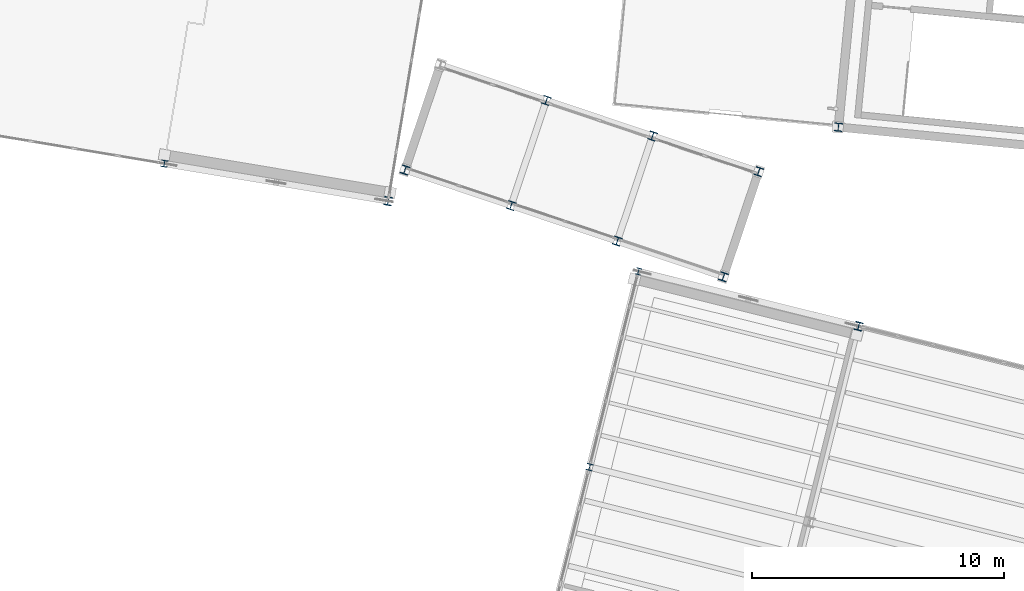
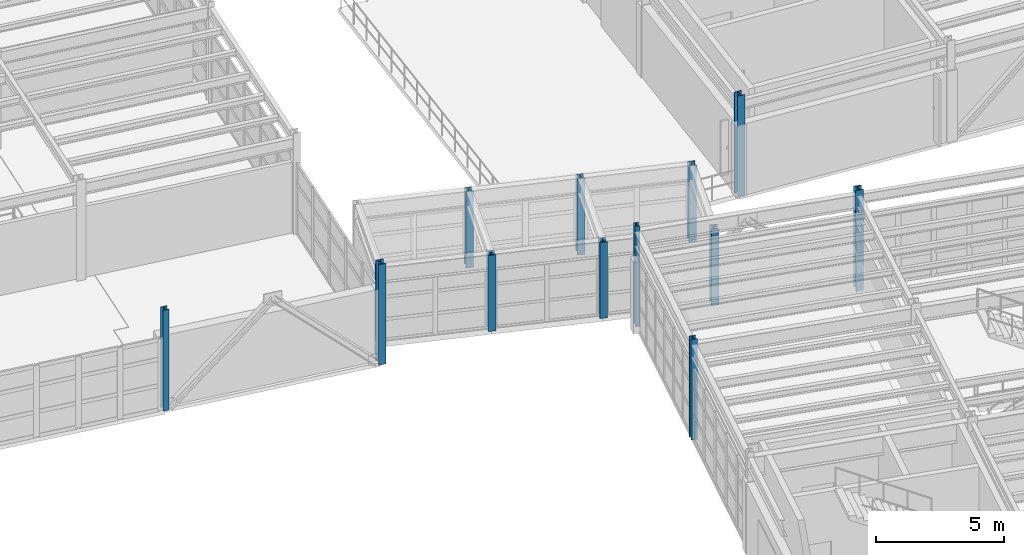
# One storey, part 5 of 102: 13 columns.
"""IFC4 building model written with IfcOpenShell, lengths in metres."""

from ifc_helpers import new_model, si_unit, direction, frame, origin, origin_2d, place, context, subcontext, project, spatial, i_section, extrude, material, material_profile, profile_set, type_object, element, save


model = new_model("IFC4")

# Units and contexts
model_context = context("Model", 3, precision=1e-05, world=origin(), true_north=direction((0.0, 1.0)))
body_context = subcontext(model_context, "Body", "Model", "MODEL_VIEW")
ifc_project = project(units=[si_unit("LENGTHUNIT", "METRE"), si_unit("AREAUNIT", "SQUARE_METRE"), si_unit("VOLUMEUNIT", "CUBIC_METRE"), si_unit("PLANEANGLEUNIT", "RADIAN"), si_unit("MASSUNIT", "GRAM", prefix="KILO")], contexts=[model_context])

# Site, building, storey
site_placement = place(None, origin())
site = spatial("IfcSite", under=ifc_project, at=site_placement, CompositionType="ELEMENT")
building_placement = place(site_placement, origin())
building = spatial("IfcBuilding", under=site, at=building_placement, Name="Vireo Bluff Cable Station", CompositionType="ELEMENT")
storey_placement = place(building_placement, frame((0.0, 0.0, 9.60009765625)))
storey = spatial("IfcBuildingStorey", under=building, at=storey_placement, Name="L02", CompositionType="ELEMENT", Elevation=9.60009765625)

# Columns
ifc_material = material(Name="Steel ASTM A992 Gr. 50", Category="steel")
ifc_material_profile_1 = material_profile(ifc_material, i_section(OverallWidth=0.31298828125, OverallDepth=0.3330078125, WebThickness=0.01806640625, FlangeThickness=0.028076171875, FilletRadius=0.012939453125, at=origin_2d()), Name="W12X120")
ifc_profile_set_1 = profile_set([ifc_material_profile_1], Name="Steel ASTM A992 Gr. 50")
column_type_1 = type_object("IfcColumnType", Name="ECOL-W12X120", PredefinedType="COLUMN", material=ifc_profile_set_1)
for number, where, z_axis, x_axis, name in (
    (1, (68.538818359375, 59.10986328125, 0.0), (0.0, 0.0, 1.0), (0.970295726276, -0.2419218956, 0.0), "V1 L02 column 38"),
    (2, (49.8828125, 64.07275390625, 0.0), (0.0, 0.0, 1.0), (0.986285601537, -0.165047605861, 0.0), "V4 L02 column 320"),
):
    element("IfcColumn", number, at=place(storey_placement, frame(where, z_axis=z_axis, x_axis=x_axis)), inside=storey, type_object=column_type_1, Name=name, PredefinedType="COLUMN", context=body_context, shape_type="SweptSolid", body=[
        extrude(i_section(OverallWidth=0.31298828125, OverallDepth=0.3330078125, WebThickness=0.01806640625, FlangeThickness=0.028076171875, FilletRadius=0.012939453125, at=origin_2d()), origin(), (0.0, 0.0, 1.0), 4.7998046875),
    ])
for number, where, z_axis, x_axis, name in (
    (3, (50.550048828125, 65.306884765625, 0.0), (0.0, 0.0, 1.0), (0.948104710889, -0.317958263284, 0.0), "CABIN-TRANSFER skybridge column 1L L02"),
    (4, (54.759521484375, 63.895263671875, 0.0), (0.0, 0.0, 1.0), (0.948104710889, -0.317958263284, 0.0), "CABIN-TRANSFER skybridge column 2L L02"),
    (5, (56.15869140625, 68.06689453125, 0.0), (0.0, 0.0, 1.0), (0.948104710889, -0.317958263284, 0.0), "CABIN-TRANSFER skybridge column 2R L02"),
    (6, (58.970458984375, 62.483154296875, 0.0), (0.0, 0.0, 1.0), (0.948104710889, -0.317958263284, 0.0), "CABIN-TRANSFER skybridge column 3L L02"),
    (7, (60.369384765625, 66.65478515625, 0.0), (0.0, 0.0, 1.0), (0.948104710889, -0.317958263284, 0.0), "CABIN-TRANSFER skybridge column 3R L02"),
    (8, (63.179931640625, 61.0712890625, 0.0), (0.0, 0.0, 1.0), (0.948104710889, -0.317958263284, 0.0), "CABIN-TRANSFER skybridge column 4L L02"),
    (9, (64.5791015625, 65.242919921875, 0.0), (0.0, 0.0, 1.0), (0.948104710889, -0.317958263284, 0.0), "CABIN-TRANSFER skybridge column 4R L02"),
):
    element("IfcColumn", number, at=place(storey_placement, frame(where, z_axis=z_axis, x_axis=x_axis)), inside=storey, type_object=column_type_1, Name=name, PredefinedType="COLUMN", context=body_context, shape_type="SweptSolid", body=[
        extrude(i_section(OverallWidth=0.31298828125, OverallDepth=0.3330078125, WebThickness=0.01806640625, FlangeThickness=0.028076171875, FilletRadius=0.012939453125, at=origin_2d()), origin(), (0.0, 0.0, 1.0), 3.6298828125),
    ])
ifc_material_profile_2 = material_profile(ifc_material, i_section(OverallWidth=0.30908203125, OverallDepth=0.322998046875, WebThickness=0.013916015625, FlangeThickness=0.02294921875, FilletRadius=0.012939453125, at=origin_2d()), Name="W12X96")
ifc_profile_set_2 = profile_set([ifc_material_profile_2], Name="Steel ASTM A992 Gr. 50")
column_type_2 = type_object("IfcColumnType", Name="ECOL-W12X96", PredefinedType="COLUMN", material=ifc_profile_set_2)
column_1_placement = place(storey_placement, frame((67.738037109375, 67.00390625, 0.0), z_axis=(0.0, 0.0, 1.0), x_axis=(0.995396198367, -0.09584575252, 0.0)))
element("IfcColumn", 10, at=column_1_placement, inside=storey, type_object=column_type_2, Name="V3 L02 column 203", PredefinedType="COLUMN", context=body_context, shape_type="SweptSolid", body=[
    extrude(i_section(OverallWidth=0.30908203125, OverallDepth=0.322998046875, WebThickness=0.013916015625, FlangeThickness=0.02294921875, FilletRadius=0.012939453125, at=origin_2d()), origin(), (0.0, 0.0, 1.0), 4.7998046875),
])
ifc_material_profile_3 = material_profile(ifc_material, i_section(OverallWidth=0.2041015625, OverallDepth=0.257080078125, WebThickness=0.0087890625, FlangeThickness=0.015625, FilletRadius=0.009033203125, at=origin_2d()), Name="W10X45")
ifc_profile_set_3 = profile_set([ifc_material_profile_3], Name="Steel ASTM A992 Gr. 50")
column_type_3 = type_object("IfcColumnType", Name="PIL-W10X45", PredefinedType="PILASTER", material=ifc_profile_set_3)
column_2_placement = place(storey_placement, frame((59.80615234375, 61.287109375, 0.0), z_axis=(0.0, 0.0, 1.0), x_axis=(0.970295726276, -0.2419218956, 0.0)))
element("IfcColumn", 11, at=column_2_placement, inside=storey, type_object=column_type_3, Name="V1 L02 column 18", PredefinedType="PILASTER", context=body_context, shape_type="SweptSolid", body=[
    extrude(i_section(OverallWidth=0.2041015625, OverallDepth=0.257080078125, WebThickness=0.0087890625, FlangeThickness=0.015625, FilletRadius=0.009033203125, at=origin_2d()), origin(), (0.0, 0.0, 1.0), 4.7998046875),
])
ifc_material_profile_4 = material_profile(ifc_material, i_section(OverallWidth=0.2548828125, OverallDepth=0.256103515625, WebThickness=0.009521484375, FlangeThickness=0.015625, FilletRadius=0.009033203125, at=origin_2d()), Name="W10X54")
ifc_profile_set_4 = profile_set([ifc_material_profile_4], Name="Steel ASTM A992 Gr. 50")
column_type_4 = type_object("IfcColumnType", Name="PIL-W10X54", PredefinedType="PILASTER", material=ifc_profile_set_4)
column_3_placement = place(storey_placement, frame((57.870849609375, 53.524658203125, 0.0), z_axis=(0.0, 0.0, 1.0), x_axis=(0.970295726276, -0.2419218956, 0.0)))
element("IfcColumn", 12, at=column_3_placement, inside=storey, type_object=column_type_4, Name="V1 L02 column 13", PredefinedType="PILASTER", context=body_context, shape_type="SweptSolid", body=[
    extrude(i_section(OverallWidth=0.2548828125, OverallDepth=0.256103515625, WebThickness=0.009521484375, FlangeThickness=0.015625, FilletRadius=0.009033203125, at=origin_2d()), origin(), (0.0, 0.0, 1.0), 4.7998046875),
])
ifc_material_profile_5 = material_profile(ifc_material, i_section(OverallWidth=0.257080078125, OverallDepth=0.263916015625, WebThickness=0.011962890625, FlangeThickness=0.01953125, FilletRadius=0.009033203125, at=origin_2d()), Name="W10X68")
ifc_profile_set_5 = profile_set([ifc_material_profile_5], Name="Steel ASTM A992 Gr. 50")
column_type_5 = type_object("IfcColumnType", Name="PIL-W10X68", PredefinedType="PILASTER", material=ifc_profile_set_5)
column_4_placement = place(storey_placement, frame((41.00634765625, 65.558349609375, 0.0), z_axis=(0.0, 0.0, 1.0), x_axis=(0.986285601537, -0.165047605861, 0.0)))
element("IfcColumn", 13, at=column_4_placement, inside=storey, type_object=column_type_5, Name="V4 L02 column 308", PredefinedType="PILASTER", context=body_context, shape_type="SweptSolid", body=[
    extrude(i_section(OverallWidth=0.257080078125, OverallDepth=0.263916015625, WebThickness=0.011962890625, FlangeThickness=0.01953125, FilletRadius=0.009033203125, at=origin_2d()), origin(), (0.0, 0.0, 1.0), 4.7998046875),
])

save(model, "model.ifc")
